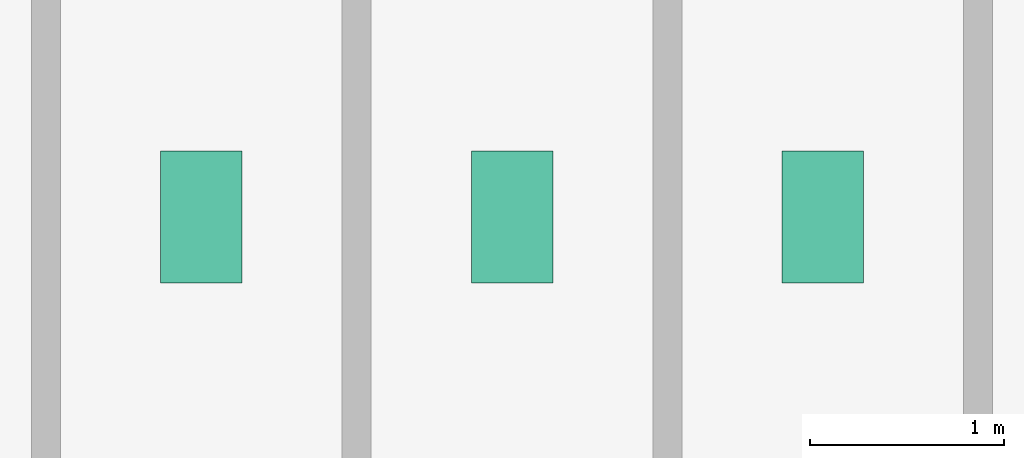
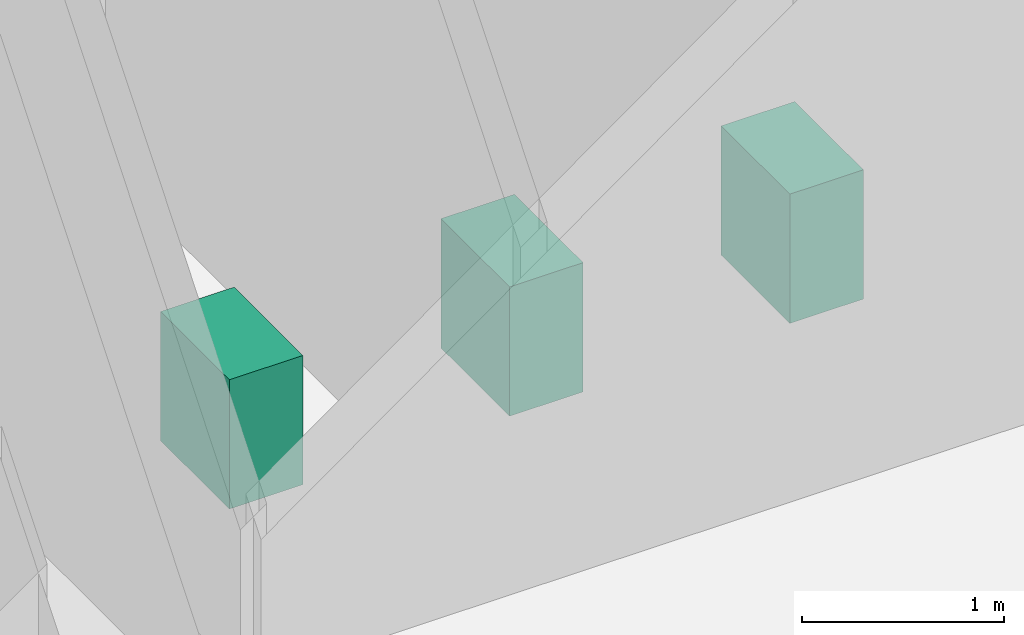
# One storey, part 22 of 22: 3 sanitary terminals.
"""IFC4 building model written with IfcOpenShell, lengths in metres."""

from ifc_helpers import new_model, si_unit, derived_unit, direction, frame, origin, origin_2d, place, context, subcontext, project, spatial, rectangle, extrude, source, transform, mapped, material, type_object, element, save


model = new_model("IFC4")

# Units and contexts
model_context = context("Model", 3, precision=1e-05, world=origin(), true_north=direction((0.0, 1.0)))
body_context = subcontext(model_context, "Body", "Model", "MODEL_VIEW")
ifc_project = project(units=[si_unit("LENGTHUNIT", "METRE"), si_unit("AREAUNIT", "SQUARE_METRE"), si_unit("VOLUMEUNIT", "CUBIC_METRE"), si_unit("PLANEANGLEUNIT", "RADIAN"), si_unit("MASSUNIT", "GRAM", prefix="KILO"), derived_unit("THERMALTRANSMITTANCEUNIT", [(si_unit("POWERUNIT", "WATT"), 1), (si_unit("LENGTHUNIT", "METRE"), -2), (si_unit("THERMODYNAMICTEMPERATUREUNIT", "KELVIN"), -1)])], contexts=[model_context])

# Site, building, storey
site_placement = place(None, origin())
site = spatial("IfcSite", under=ifc_project, at=site_placement, CompositionType="ELEMENT")
building_placement = place(site_placement, origin())
building = spatial("IfcBuilding", under=site, at=building_placement, Name="Skarnbrae Concourse Arena and Tower", CompositionType="ELEMENT")
storey_placement = place(building_placement, frame((0.0, 0.0, 240.550048828125)))
storey = spatial("IfcBuildingStorey", under=building, at=storey_placement, Name="L62", CompositionType="ELEMENT", Elevation=240.550048828125)

# Sanitary terminals
ifc_material = material(Name="Vitreous china sanitaryware", Category="other")
sanitary_terminal_type = type_object("IfcSanitaryTerminalType", Name="SAN-WC-VITREOUS", PredefinedType="TOILETPAN", material=ifc_material)
shared_shape = source(origin(), body_context, "Body", "SweptSolid", [
    extrude(rectangle(XDim=0.419921875, YDim=0.679931640625, at=origin_2d()), origin(), (0.0, 0.0, 1.0), 0.780029296875),
])
for number, where, z_axis, x_axis, name in (
    (1, (35.0, 11.39990234375, 0.0), (0.0, 0.0, 1.0), (1.0, 0.0, 0.0), "L62 Washroom WC fixture 1"),
    (2, (36.60009765625, 11.39990234375, 0.0), (0.0, 0.0, 1.0), (1.0, 0.0, 0.0), "L62 Washroom WC fixture 2"),
    (3, (38.199951171875, 11.39990234375, 0.0), (0.0, 0.0, 1.0), (1.0, 0.0, 0.0), "L62 Washroom WC fixture 3"),
):
    element("IfcSanitaryTerminal", number, at=place(storey_placement, frame(where, z_axis=z_axis, x_axis=x_axis)), inside=storey, type_object=sanitary_terminal_type, Name=name, PredefinedType="TOILETPAN", context=body_context, shape_type="MappedRepresentation", body=[
        mapped(shared_shape, transform((0.0, 0.0, 0.0))),
    ])

save(model, "model.ifc")
